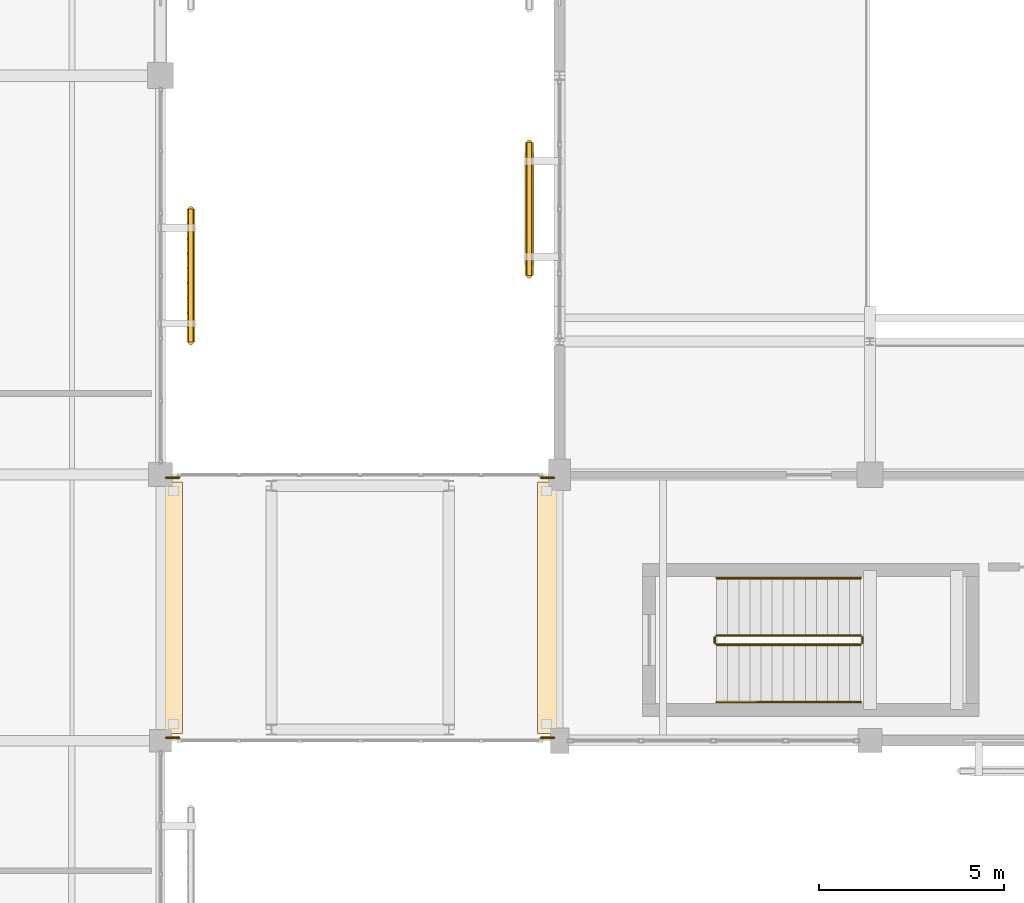
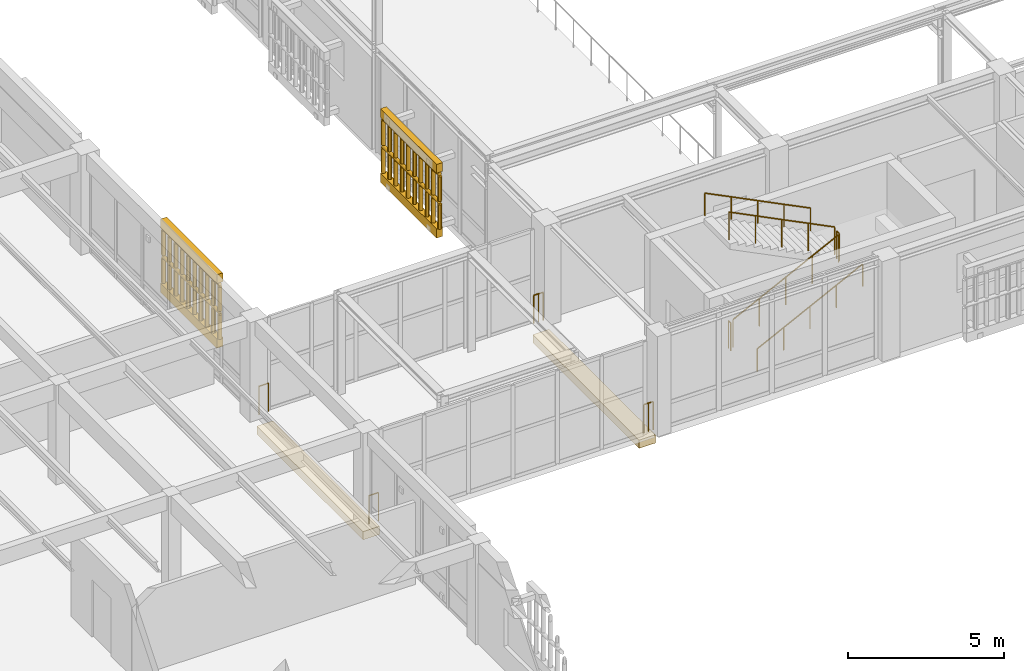
# One storey, part 157 of 170: 14 railings, 6 coverings.
"""IFC4 building model written with IfcOpenShell, lengths in metres."""

from ifc_helpers import new_model, si_unit, direction, frame, origin, origin_2d, place, context, subcontext, project, spatial, polyline, circle, outline, extrude, material, layer, layer_set, type_object, element, save


model = new_model("IFC4")

# Units and contexts
model_context = context("Model", 3, precision=1e-05, world=origin(), true_north=direction((0.0, 1.0)))
body_context = subcontext(model_context, "Body", "Model", "MODEL_VIEW")
ifc_project = project(units=[si_unit("LENGTHUNIT", "METRE"), si_unit("AREAUNIT", "SQUARE_METRE"), si_unit("VOLUMEUNIT", "CUBIC_METRE"), si_unit("PLANEANGLEUNIT", "RADIAN"), si_unit("MASSUNIT", "GRAM", prefix="KILO")], contexts=[model_context])

# Site, building, storey
site_placement = place(None, origin())
site = spatial("IfcSite", under=ifc_project, at=site_placement, CompositionType="ELEMENT")
building_placement = place(site_placement, origin())
building = spatial("IfcBuilding", under=site, at=building_placement, Name="Mazaris Harbour Polytechnic", CompositionType="ELEMENT")
storey_placement = place(building_placement, frame((0.0, 0.0, 5.39990234375)))
storey = spatial("IfcBuildingStorey", under=building, at=storey_placement, Name="L01", CompositionType="ELEMENT", Elevation=5.39990234375)

# Coverings
ifc_material_1 = material(Name="Concrete C40/50", Category="concrete")
ifc_layer_1 = layer(ifc_material_1, 0.320068359375, Name="Concrete C40/50")
ifc_layer_set_1 = layer_set([ifc_layer_1], Name="Concrete C40/50")
covering_type_1 = type_object("IfcCoveringType", Name="Bridge Bearing Corbel 600 Exterior", PredefinedType="CLADDING", material=ifc_layer_set_1)
covering_1_placement = place(storey_placement, frame((0.0, 0.0, -0.64990234375)))
element("IfcCovering", 1, at=covering_1_placement, inside=storey, type_object=covering_type_1, Name="PB-W2 L01 600mm Bridge Bearing Seat Corbel W", PredefinedType="CLADDING", context=body_context, shape_type="SweptSolid", body=[
    extrude(outline(polyline([(43.199951171875, 75.800048828125), (43.800048828125, 75.800048828125), (43.800048828125, 82.60009765625), (43.199951171875, 82.60009765625), (43.199951171875, 75.800048828125)])), origin(), (0.0, 0.0, 1.0), 0.320068359375),
])
covering_2_placement = place(storey_placement, frame((0.0, 0.0, -0.64990234375)))
element("IfcCovering", 2, at=covering_2_placement, inside=storey, type_object=covering_type_1, Name="PB-W2 L01 600mm Bridge Bearing Seat Corbel E", PredefinedType="CLADDING", context=body_context, shape_type="SweptSolid", body=[
    extrude(outline(polyline([(53.39990234375, 75.800048828125), (54.0, 75.800048828125), (54.0, 82.60009765625), (53.39990234375, 82.60009765625), (53.39990234375, 75.800048828125)])), origin(), (0.0, 0.0, 1.0), 0.320068359375),
])

# Railings
ifc_material_2 = material(Name="Steel S355", Category="steel")
railing_type_1 = type_object("IfcRailingType", Name="Mezzanine Steel Guardrail 1100 Exterior", PredefinedType="GUARDRAIL", material=ifc_material_2)
railing_1_placement = place(storey_placement, frame((43.35009765625, 75.679931640625, 0.0)))
element("IfcRailing", 3, at=railing_1_placement, inside=storey, type_object=railing_type_1, Name="PB-W2 L01 Bridge End Guard W0", PredefinedType="GUARDRAIL", context=body_context, shape_type="SweptSolid", body=[
    extrude(circle(Radius=0.02392578125, at=origin_2d()), frame((0.0, 0.0, 1.09619140625), z_axis=(1.0, 0.0, 0.0), x_axis=(0.0, 1.0, 0.0)), (0.0, 0.0, 1.0), 0.349853515625),
    extrude(circle(Radius=0.02099609375, at=origin_2d()), origin(), (0.0, 0.0, 1.0), 1.072021484375),
    extrude(circle(Radius=0.02099609375, at=origin_2d()), frame((0.349853515625, 0.0, 0.0)), (0.0, 0.0, 1.0), 1.072021484375),
])
railing_2_placement = place(storey_placement, frame((53.5, 75.679931640625, 0.0)))
element("IfcRailing", 4, at=railing_2_placement, inside=storey, type_object=railing_type_1, Name="PB-W2 L01 Bridge End Guard E0", PredefinedType="GUARDRAIL", context=body_context, shape_type="SweptSolid", body=[
    extrude(circle(Radius=0.02392578125, at=origin_2d()), frame((0.0, 0.0, 1.09619140625), z_axis=(1.0, 0.0, 0.0), x_axis=(0.0, 1.0, 0.0)), (0.0, 0.0, 1.0), 0.35009765625),
    extrude(circle(Radius=0.02099609375, at=origin_2d()), origin(), (0.0, 0.0, 1.0), 1.072021484375),
    extrude(circle(Radius=0.02099609375, at=origin_2d()), frame((0.175048828125, 0.0, 0.0)), (0.0, 0.0, 1.0), 1.072021484375),
    extrude(circle(Radius=0.02099609375, at=origin_2d()), frame((0.35009765625, 0.0, 0.0)), (0.0, 0.0, 1.0), 1.072021484375),
])
railing_3_placement = place(storey_placement, frame((43.35009765625, 82.719970703125, 0.0)))
element("IfcRailing", 5, at=railing_3_placement, inside=storey, type_object=railing_type_1, Name="PB-W2 L01 Bridge End Guard W1", PredefinedType="GUARDRAIL", context=body_context, shape_type="SweptSolid", body=[
    extrude(circle(Radius=0.02392578125, at=origin_2d()), frame((0.0, 0.0, 1.09619140625), z_axis=(1.0, 0.0, 0.0), x_axis=(0.0, 1.0, 0.0)), (0.0, 0.0, 1.0), 0.349853515625),
    extrude(circle(Radius=0.02099609375, at=origin_2d()), origin(), (0.0, 0.0, 1.0), 1.072021484375),
    extrude(circle(Radius=0.02099609375, at=origin_2d()), frame((0.349853515625, 0.0, 0.0)), (0.0, 0.0, 1.0), 1.072021484375),
])
railing_4_placement = place(storey_placement, frame((53.5, 82.719970703125, 0.0)))
element("IfcRailing", 6, at=railing_4_placement, inside=storey, type_object=railing_type_1, Name="PB-W2 L01 Bridge End Guard E1", PredefinedType="GUARDRAIL", context=body_context, shape_type="SweptSolid", body=[
    extrude(circle(Radius=0.02392578125, at=origin_2d()), frame((0.0, 0.0, 1.09619140625), z_axis=(1.0, 0.0, 0.0), x_axis=(0.0, 1.0, 0.0)), (0.0, 0.0, 1.0), 0.35009765625),
    extrude(circle(Radius=0.02099609375, at=origin_2d()), origin(), (0.0, 0.0, 1.0), 1.072021484375),
    extrude(circle(Radius=0.02099609375, at=origin_2d()), frame((0.175048828125, 0.0, 0.0)), (0.0, 0.0, 1.0), 1.072021484375),
    extrude(circle(Radius=0.02099609375, at=origin_2d()), frame((0.35009765625, 0.0, 0.0)), (0.0, 0.0, 1.0), 1.072021484375),
])
ifc_material_3 = material(Name="Perforated Earth-Coloured Terracotta Block", Category="masonry")
railing_type_2 = type_object("IfcRailingType", Name="Perforated Earth-Block Claustra Lattice 1040", PredefinedType="BALUSTRADE", material=ifc_material_3)
for number, where, name in (
    (7, (53.179931640625, 88.18994140625, 0.52001953125), "V1 L01 Lower Perforated Terracotta Block Screen 18"),
    (8, (53.179931640625, 88.18994140625, 1.610107421875), "V1 L01 Upper Perforated Terracotta Block Screen 18"),
):
    element("IfcRailing", number, at=place(storey_placement, frame(where)), inside=storey, type_object=railing_type_2, Name=name, PredefinedType="BALUSTRADE", context=body_context, shape_type="SweptSolid", body=[
        extrude(circle(Radius=0.06982421875, at=origin_2d()), frame((0.0, 0.0, 1.02001953125), z_axis=(0.0, 1.0, 0.0), x_axis=(-1.0, 0.0, 0.0)), (0.0, 0.0, 1.0), 3.60009765625),
        extrude(circle(Radius=0.074951171875, at=origin_2d()), origin(), (0.0, 0.0, 1.0), 0.9501953125),
        extrude(circle(Radius=0.074951171875, at=origin_2d()), frame((0.0, 0.39990234375, 0.0)), (0.0, 0.0, 1.0), 0.9501953125),
        extrude(circle(Radius=0.074951171875, at=origin_2d()), frame((0.0, 0.800048828125, 0.0)), (0.0, 0.0, 1.0), 0.9501953125),
        extrude(circle(Radius=0.074951171875, at=origin_2d()), frame((0.0, 1.199951171875, 0.0)), (0.0, 0.0, 1.0), 0.9501953125),
        extrude(circle(Radius=0.074951171875, at=origin_2d()), frame((0.0, 1.60009765625, 0.0)), (0.0, 0.0, 1.0), 0.9501953125),
        extrude(circle(Radius=0.074951171875, at=origin_2d()), frame((0.0, 2.0, 0.0)), (0.0, 0.0, 1.0), 0.9501953125),
        extrude(circle(Radius=0.074951171875, at=origin_2d()), frame((0.0, 2.400146484375, 0.0)), (0.0, 0.0, 1.0), 0.9501953125),
        extrude(circle(Radius=0.074951171875, at=origin_2d()), frame((0.0, 2.800048828125, 0.0)), (0.0, 0.0, 1.0), 0.9501953125),
        extrude(circle(Radius=0.074951171875, at=origin_2d()), frame((0.0, 3.2001953125, 0.0)), (0.0, 0.0, 1.0), 0.9501953125),
        extrude(circle(Radius=0.074951171875, at=origin_2d()), frame((0.0, 3.60009765625, 0.0)), (0.0, 0.0, 1.0), 0.9501953125),
    ])
for number, where, name in (
    (9, (44.02001953125, 89.987548828125, 0.52001953125), "V4 L01 Lower Perforated Terracotta Block Screen 187"),
    (10, (44.02001953125, 89.987548828125, 1.60498046875), "V4 L01 Upper Perforated Terracotta Block Screen 187"),
):
    element("IfcRailing", number, at=place(storey_placement, frame(where)), inside=storey, type_object=railing_type_2, Name=name, PredefinedType="BALUSTRADE", context=body_context, shape_type="SweptSolid", body=[
        extrude(circle(Radius=0.06982421875, at=origin_2d()), frame((0.0, 0.0, 1.01513671875), z_axis=(0.0, -1.0, 0.0), x_axis=(1.0, 0.0, 0.0)), (0.0, 0.0, 1.0), 3.60009765625),
        extrude(circle(Radius=0.074951171875, at=origin_2d()), origin(), (0.0, 0.0, 1.0), 0.945068359375),
        extrude(circle(Radius=0.074951171875, at=origin_2d()), frame((0.0, -0.39990234375, 0.0)), (0.0, 0.0, 1.0), 0.945068359375),
        extrude(circle(Radius=0.074951171875, at=origin_2d()), frame((0.0, -0.800048828125, 0.0)), (0.0, 0.0, 1.0), 0.945068359375),
        extrude(circle(Radius=0.074951171875, at=origin_2d()), frame((0.0, -1.199951171875, 0.0)), (0.0, 0.0, 1.0), 0.945068359375),
        extrude(circle(Radius=0.074951171875, at=origin_2d()), frame((0.0, -1.60009765625, 0.0)), (0.0, 0.0, 1.0), 0.945068359375),
        extrude(circle(Radius=0.074951171875, at=origin_2d()), frame((0.0, -2.0, 0.0)), (0.0, 0.0, 1.0), 0.945068359375),
        extrude(circle(Radius=0.074951171875, at=origin_2d()), frame((0.0, -2.400146484375, 0.0)), (0.0, 0.0, 1.0), 0.945068359375),
        extrude(circle(Radius=0.074951171875, at=origin_2d()), frame((0.0, -2.800048828125, 0.0)), (0.0, 0.0, 1.0), 0.945068359375),
        extrude(circle(Radius=0.074951171875, at=origin_2d()), frame((0.0, -3.2001953125, 0.0)), (0.0, 0.0, 1.0), 0.945068359375),
        extrude(circle(Radius=0.074951171875, at=origin_2d()), frame((0.0, -3.60009765625, 0.0)), (0.0, 0.0, 1.0), 0.945068359375),
    ])
ifc_material_4 = material(Name="Stainless Steel S355", Category="steel")
railing_type_3 = type_object("IfcRailingType", Name="Stair Wall Handrail 900", PredefinedType="HANDRAIL", material=ifc_material_4)
railing_5_placement = place(storey_placement, frame((58.25, 76.64990234375, 0.150146484375)))
element("IfcRailing", 11, at=railing_5_placement, inside=storey, type_object=railing_type_3, Name="L01 ST01 stair handrail 1", PredefinedType="HANDRAIL", context=body_context, shape_type="SweptSolid", body=[
    extrude(circle(Radius=0.02392578125, at=origin_2d()), frame((0.0, 0.0, 0.8759765625), z_axis=(0.894427191, 0.0, 0.4472135955), x_axis=(0.0, 1.0, 0.0)), (0.0, 0.0, 1.0), 4.360107421875),
    extrude(circle(Radius=0.02099609375, at=origin_2d()), origin(), (0.0, 0.0, 1.0), 0.851806640625),
    extrude(circle(Radius=0.02099609375, at=origin_2d()), frame((0.97509765625, 0.0, 0.487548828125)), (0.0, 0.0, 1.0), 0.851806640625),
    extrude(circle(Radius=0.02099609375, at=origin_2d()), frame((1.949951171875, 0.0, 0.97509765625)), (0.0, 0.0, 1.0), 0.851806640625),
    extrude(circle(Radius=0.02099609375, at=origin_2d()), frame((2.9248046875, 0.0, 1.46240234375)), (0.0, 0.0, 1.0), 0.851806640625),
    extrude(circle(Radius=0.02099609375, at=origin_2d()), frame((3.89990234375, 0.0, 1.949951171875)), (0.0, 0.0, 1.0), 0.851806640625),
])
railing_6_placement = place(storey_placement, frame((62.14990234375, 80.0, 2.25)))
element("IfcRailing", 12, at=railing_6_placement, inside=storey, type_object=railing_type_3, Name="L01 ST01 stair handrail 2", PredefinedType="HANDRAIL", context=body_context, shape_type="SweptSolid", body=[
    extrude(circle(Radius=0.02392578125, at=origin_2d()), frame((0.0, 0.0, 0.8759765625), z_axis=(-0.894404793364, 0.0, 0.447258387967), x_axis=(0.0, -1.0, 0.0)), (0.0, 0.0, 1.0), 4.3603515625),
    extrude(circle(Radius=0.02099609375, at=origin_2d()), origin(), (0.0, 0.0, 1.0), 0.851806640625),
    extrude(circle(Radius=0.02099609375, at=origin_2d()), frame((-0.97509765625, 0.0, 0.487548828125)), (0.0, 0.0, 1.0), 0.851806640625),
    extrude(circle(Radius=0.02099609375, at=origin_2d()), frame((-1.949951171875, 0.0, 0.97509765625)), (0.0, 0.0, 1.0), 0.851806640625),
    extrude(circle(Radius=0.02099609375, at=origin_2d()), frame((-2.9248046875, 0.0, 1.462646484375)), (0.0, 0.0, 1.0), 0.851806640625),
    extrude(circle(Radius=0.02099609375, at=origin_2d()), frame((-3.89990234375, 0.0, 1.9501953125)), (0.0, 0.0, 1.0), 0.851806640625),
])
ifc_material_5 = material(Name="Steel S355", Category="steel")
railing_type_4 = type_object("IfcRailingType", Name="Stair Well Guardrail 1100", PredefinedType="GUARDRAIL", material=ifc_material_5)
railing_7_placement = place(storey_placement, frame((58.25, 78.199951171875, 0.150146484375)))
element("IfcRailing", 13, at=railing_7_placement, inside=storey, type_object=railing_type_4, Name="L01 ST01 stair guard 1", PredefinedType="GUARDRAIL", context=body_context, shape_type="SweptSolid", body=[
    extrude(circle(Radius=0.02392578125, at=origin_2d()), frame((0.0, 0.0, 1.076171875), z_axis=(0.894427191, 0.0, 0.4472135955), x_axis=(0.0, 1.0, 0.0)), (0.0, 0.0, 1.0), 4.360107421875),
    extrude(circle(Radius=0.02099609375, at=origin_2d()), origin(), (0.0, 0.0, 1.0), 1.052001953125),
    extrude(circle(Radius=0.02099609375, at=origin_2d()), frame((0.97509765625, 0.0, 0.487548828125)), (0.0, 0.0, 1.0), 1.052001953125),
    extrude(circle(Radius=0.02099609375, at=origin_2d()), frame((1.949951171875, 0.0, 0.97509765625)), (0.0, 0.0, 1.0), 1.052001953125),
    extrude(circle(Radius=0.02099609375, at=origin_2d()), frame((2.9248046875, 0.0, 1.46240234375)), (0.0, 0.0, 1.0), 1.052001953125),
    extrude(circle(Radius=0.02099609375, at=origin_2d()), frame((3.89990234375, 0.0, 1.949951171875)), (0.0, 0.0, 1.0), 1.052001953125),
])
railing_8_placement = place(storey_placement, frame((62.199951171875, 78.25, 2.10009765625)))
element("IfcRailing", 14, at=railing_8_placement, inside=storey, type_object=railing_type_4, Name="L01 ST01 stair guard 2", PredefinedType="GUARDRAIL", context=body_context, shape_type="SweptSolid", body=[
    extrude(circle(Radius=0.02392578125, at=origin_2d()), frame((0.0, 0.0, 1.076171875), z_axis=(0.0, 1.0, 0.0), x_axis=(-1.0, 0.0, 0.0)), (0.0, 0.0, 1.0), 0.14990234375),
    extrude(circle(Radius=0.02099609375, at=origin_2d()), origin(), (0.0, 0.0, 1.0), 1.052001953125),
    extrude(circle(Radius=0.02099609375, at=origin_2d()), frame((0.0, 0.14990234375, 0.0)), (0.0, 0.0, 1.0), 1.052001953125),
])
railing_9_placement = place(storey_placement, frame((62.14990234375, 78.449951171875, 2.25)))
element("IfcRailing", 15, at=railing_9_placement, inside=storey, type_object=railing_type_4, Name="L01 ST01 stair guard 3", PredefinedType="GUARDRAIL", context=body_context, shape_type="SweptSolid", body=[
    extrude(circle(Radius=0.02392578125, at=origin_2d()), frame((0.0, 0.0, 1.076171875), z_axis=(-0.894404793364, 0.0, 0.447258387967), x_axis=(0.0, -1.0, 0.0)), (0.0, 0.0, 1.0), 4.3603515625),
    extrude(circle(Radius=0.02099609375, at=origin_2d()), origin(), (0.0, 0.0, 1.0), 1.052001953125),
    extrude(circle(Radius=0.02099609375, at=origin_2d()), frame((-0.97509765625, 0.0, 0.487548828125)), (0.0, 0.0, 1.0), 1.052001953125),
    extrude(circle(Radius=0.02099609375, at=origin_2d()), frame((-1.949951171875, 0.0, 0.97509765625)), (0.0, 0.0, 1.0), 1.052001953125),
    extrude(circle(Radius=0.02099609375, at=origin_2d()), frame((-2.9248046875, 0.0, 1.462646484375)), (0.0, 0.0, 1.0), 1.052001953125),
    extrude(circle(Radius=0.02099609375, at=origin_2d()), frame((-3.89990234375, 0.0, 1.9501953125)), (0.0, 0.0, 1.0), 1.052001953125),
])
railing_10_placement = place(storey_placement, frame((58.199951171875, 78.25, 0.0)))
element("IfcRailing", 16, at=railing_10_placement, inside=storey, type_object=railing_type_4, Name="L01 ST01 stair guard 4", PredefinedType="GUARDRAIL", context=body_context, shape_type="SweptSolid", body=[
    extrude(circle(Radius=0.02392578125, at=origin_2d()), frame((0.0, 0.0, 1.076171875), z_axis=(0.0, 1.0, 0.0), x_axis=(-1.0, 0.0, 0.0)), (0.0, 0.0, 1.0), 0.14990234375),
    extrude(circle(Radius=0.02099609375, at=origin_2d()), origin(), (0.0, 0.0, 1.0), 1.052001953125),
    extrude(circle(Radius=0.02099609375, at=origin_2d()), frame((0.0, 0.14990234375, 0.0)), (0.0, 0.0, 1.0), 1.052001953125),
])

# Coverings
ifc_material_6 = material(Name="Perforated Earth-Coloured Terracotta Block", Category="masonry")
ifc_layer_2 = layer(ifc_material_6, 0.219970703125, Name="Perforated Earth-Coloured Terracotta Block")
ifc_layer_set_2 = layer_set([ifc_layer_2], Name="Perforated Earth-Coloured Terracotta Block")
covering_type_2 = type_object("IfcCoveringType", Name="Terracotta Screen Course Cladding 220", PredefinedType="CLADDING", material=ifc_layer_set_2)
covering_3_placement = place(storey_placement, frame((0.0, 0.0, 0.16015625)))
element("IfcCovering", 17, at=covering_3_placement, inside=storey, type_object=covering_type_2, Name="V1 L01 Perforated Screen Sill Course 18", PredefinedType="CLADDING", context=body_context, shape_type="SweptSolid", body=[
    extrude(outline(polyline([(53.2900390625, 88.18994140625), (53.2900390625, 91.7900390625), (53.070068359375, 91.7900390625), (53.070068359375, 88.18994140625), (53.2900390625, 88.18994140625)])), origin(), (0.0, 0.0, 1.0), 0.35986328125),
])
covering_4_placement = place(storey_placement, frame((0.0, 0.0, 2.7001953125)))
element("IfcCovering", 18, at=covering_4_placement, inside=storey, type_object=covering_type_2, Name="V1 L01 Perforated Screen Lintel Course 18", PredefinedType="CLADDING", context=body_context, shape_type="SweptSolid", body=[
    extrude(outline(polyline([(53.2900390625, 88.18994140625), (53.2900390625, 91.7900390625), (53.070068359375, 91.7900390625), (53.070068359375, 88.18994140625), (53.2900390625, 88.18994140625)])), origin(), (0.0, 0.0, 1.0), 0.33984375),
])
covering_5_placement = place(storey_placement, frame((0.0, 0.0, 0.16015625)))
element("IfcCovering", 19, at=covering_5_placement, inside=storey, type_object=covering_type_2, Name="V4 L01 Perforated Screen Sill Course 187", PredefinedType="CLADDING", context=body_context, shape_type="SweptSolid", body=[
    extrude(outline(polyline([(43.909912109375, 89.987548828125), (43.909912109375, 86.387451171875), (44.1298828125, 86.387451171875), (44.1298828125, 89.987548828125), (43.909912109375, 89.987548828125)])), origin(), (0.0, 0.0, 1.0), 0.35986328125),
])
covering_6_placement = place(storey_placement, frame((0.0, 0.0, 2.690185546875)))
element("IfcCovering", 20, at=covering_6_placement, inside=storey, type_object=covering_type_2, Name="V4 L01 Perforated Screen Lintel Course 187", PredefinedType="CLADDING", context=body_context, shape_type="SweptSolid", body=[
    extrude(outline(polyline([(43.909912109375, 89.987548828125), (43.909912109375, 86.387451171875), (44.1298828125, 86.387451171875), (44.1298828125, 89.987548828125), (43.909912109375, 89.987548828125)])), origin(), (0.0, 0.0, 1.0), 0.33984375),
])

save(model, "model.ifc")
